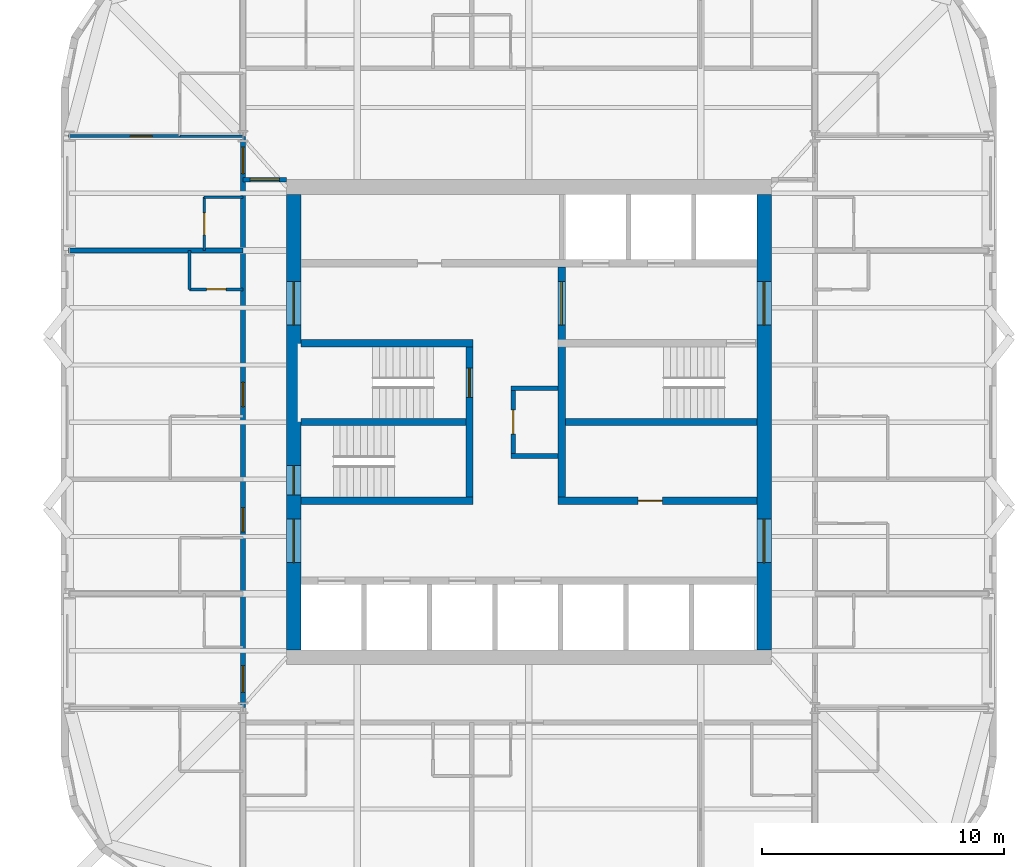
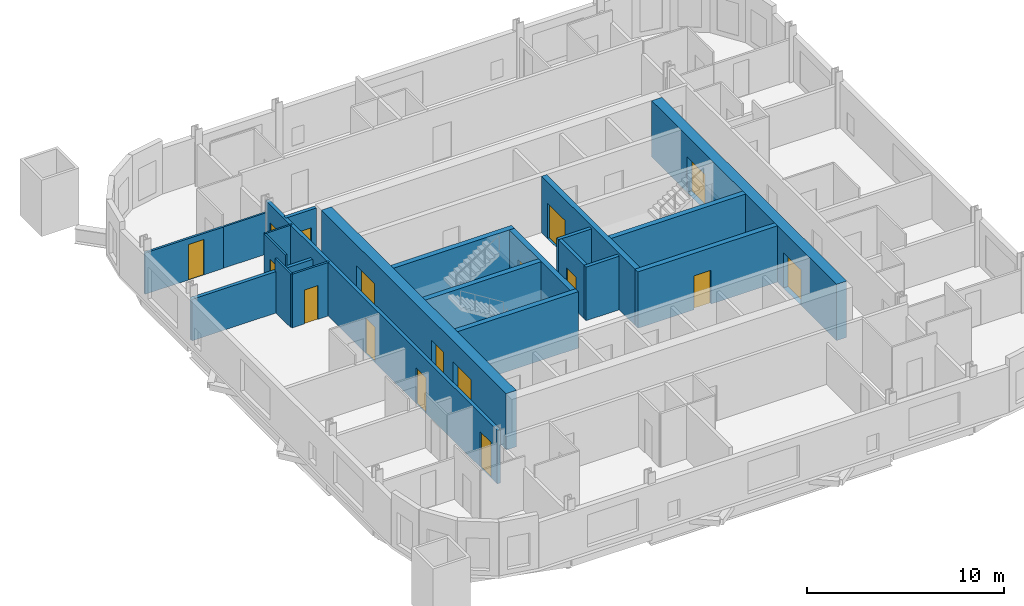
# One storey, part 4 of 8: 21 walls, 17 doors, 17 openings.
"""IFC4 building model written with IfcOpenShell, lengths in metres."""

from ifc_helpers import new_model, si_unit, direction, frame, frame_2d, origin, place, context, subcontext, project, spatial, rectangle, extrude, material, layer, layer_set, type_object, element, fill, save


model = new_model("IFC4")

# Units and contexts
model_context = context("Model", 3, precision=1e-05, world=origin(), true_north=direction((0.0, 1.0)))
body_context = subcontext(model_context, "Body", "Model", "MODEL_VIEW")
ifc_project = project(units=[si_unit("LENGTHUNIT", "METRE"), si_unit("AREAUNIT", "SQUARE_METRE"), si_unit("VOLUMEUNIT", "CUBIC_METRE"), si_unit("PLANEANGLEUNIT", "RADIAN"), si_unit("MASSUNIT", "GRAM", prefix="KILO")], contexts=[model_context])

# Site, building, storey
site_placement = place(None, origin())
site = spatial("IfcSite", under=ifc_project, at=site_placement, CompositionType="ELEMENT")
building_placement = place(site_placement, origin())
building = spatial("IfcBuilding", under=site, at=building_placement, Name="Turquesa Mirador Hotel Tower", CompositionType="ELEMENT")
storey_placement = place(building_placement, frame((0.0, 0.0, 196.800048828125)))
storey = spatial("IfcBuildingStorey", under=building, at=storey_placement, Name="L53", CompositionType="ELEMENT", Elevation=196.800048828125)

# Walls
ifc_material_1 = material(Name="Gypsum board on steel studs", Category="steel")
ifc_layer_1 = layer(ifc_material_1, 0.10009765625)
ifc_layer_set_1 = layer_set([ifc_layer_1], Name="BATHROOM WALL 100")
wall_type_1 = type_object("IfcWallType", Name="BATHROOM WALL 100", PredefinedType="PARTITIONING", material=ifc_layer_set_1)
wall_1_placement = place(storey_placement, frame((40.60009765625, 56.800048828125, 0.0), z_axis=(0.0, 0.0, 1.0), x_axis=(1.0, 0.0, 0.0)))
element("IfcWall", 1, at=wall_1_placement, inside=storey, type_object=wall_type_1, Name="Partition L53 024", PredefinedType="PARTITIONING", context=body_context, shape_type="SweptSolid", body=[
    extrude(rectangle(XDim=2.599853515625, YDim=0.10009765625, at=frame_2d((1.2998046875, 0.0))), origin(), (0.0, 0.0, 1.0), 2.572998046875),
])
wall_2_placement = place(storey_placement, frame((41.60009765625, 54.280029296875, 0.0), z_axis=(0.0, 0.0, 1.0), x_axis=(1.0, 0.0, 0.0)))
element("IfcWall", 2, at=wall_2_placement, inside=storey, type_object=wall_type_1, Name="Partition L53 039", PredefinedType="PARTITIONING", context=body_context, shape_type="SweptSolid", body=[
    extrude(rectangle(XDim=1.599853515625, YDim=0.10009765625, at=frame_2d((0.7998046875, 0.0))), origin(), (0.0, 0.0, 1.0), 3.329833984375),
])

# Wall, opening, door
wall_3_placement = place(storey_placement, frame((41.60009765625, 52.080078125, 0.0), z_axis=(0.0, 0.0, 1.0), x_axis=(0.0, 1.0, 0.0)))
wall_3 = element("IfcWall", 3, at=wall_3_placement, inside=storey, type_object=wall_type_1, Name="Partition L53 047", PredefinedType="PARTITIONING", context=body_context, shape_type="SweptSolid", body=[
    extrude(rectangle(XDim=2.199951171875, YDim=0.10009765625, at=frame_2d((1.10009765625, 0.0))), origin(), (0.0, 0.0, 1.0), 3.329833984375),
])
opening_1_placement = place(wall_3_placement, frame((0.64990234375, 0.0, 0.0)))
opening_1 = element("IfcOpeningElement", 4, at=opening_1_placement, cuts=wall_3, Name="Opening D06", PredefinedType="OPENING", context=body_context, shape_type="SweptSolid", body=[
    extrude(rectangle(XDim=0.89990234375, YDim=2.10009765625, at=frame_2d((0.449951171875, 1.050048828125))), frame((0.0, 0.06005859375, 0.0), z_axis=(0.0, -1.0, 0.0), x_axis=(1.0, 0.0, 0.0)), (0.0, 0.0, 1.0), 0.1201171875),
])
ifc_material_2 = material(Name="Laminate door", Category="wood")
door_type_1 = type_object("IfcDoorType", Name="DOOR 900X2100 WC", OperationType="SINGLE_SWING_LEFT", PredefinedType="DOOR", material=ifc_material_2)
door_1_placement = place(opening_1_placement, origin())
door_1 = element("IfcDoor", 5, at=door_1_placement, inside=storey, type_object=door_type_1, Name="Door 5310W", OperationType="SINGLE_SWING_LEFT", OverallHeight=2.10009765625, OverallWidth=0.89990234375, PredefinedType="DOOR", context=body_context, shape_type="SweptSolid", body=[
    extrude(rectangle(XDim=0.89990234375, YDim=2.10009765625, at=frame_2d((0.449951171875, 1.050048828125))), frame((0.0, 0.02490234375, 0.0), z_axis=(0.0, -1.0, 0.0), x_axis=(1.0, 0.0, 0.0)), (0.0, 0.0, 1.0), 0.050048828125),
])
fill(opening_1, door_1)

# Walls
ifc_material_3 = material(Name="Concrete C50/60", Category="concrete")
ifc_layer_2 = layer(ifc_material_3, 0.300048828125)
ifc_layer_set_2 = layer_set([ifc_layer_2], Name="CORE INNER WALL 300")
wall_type_2 = type_object("IfcWallType", Name="CORE INNER WALL 300", PredefinedType="SHEAR", material=ifc_layer_set_2)
for number, where, z_axis, x_axis, name in (
    (6, (45.60009765625, 48.25, 0.0), (0.0, 0.0, 1.0), (1.0, 0.0, 0.0), "Core wall MN-W"),
    (7, (45.60009765625, 41.75, 0.0), (0.0, 0.0, 1.0), (1.0, 0.0, 0.0), "Core wall MS-W"),
):
    element("IfcWall", number, at=place(storey_placement, frame(where, z_axis=z_axis, x_axis=x_axis)), inside=storey, type_object=wall_type_2, Name=name, PredefinedType="SHEAR", context=body_context, shape_type="SweptSolid", body=[
        extrude(rectangle(XDim=7.099853515625, YDim=0.300048828125, at=frame_2d((3.5498046875, 0.0))), origin(), (0.0, 0.0, 1.0), 3.5),
    ])

# Wall, opening, door
wall_4_placement = place(storey_placement, frame((56.199951171875, 41.75, 0.0), z_axis=(0.0, 0.0, 1.0), x_axis=(1.0, 0.0, 0.0)))
wall_4 = element("IfcWall", 8, at=wall_4_placement, inside=storey, type_object=wall_type_2, Name="Core wall MS-E", PredefinedType="SHEAR", context=body_context, shape_type="SweptSolid", body=[
    extrude(rectangle(XDim=8.199951171875, YDim=0.300048828125, at=frame_2d((4.10009765625, 0.0))), origin(), (0.0, 0.0, 1.0), 3.5),
])
opening_2_placement = place(wall_4_placement, frame((3.300048828125, 0.0, 0.0)))
opening_2 = element("IfcOpeningElement", 9, at=opening_2_placement, cuts=wall_4, Name="Opening D05", PredefinedType="OPENING", context=body_context, shape_type="SweptSolid", body=[
    extrude(rectangle(XDim=1.0, YDim=2.10009765625, at=frame_2d((0.5, 1.050048828125))), frame((0.0, 0.159912109375, 0.0), z_axis=(0.0, -1.0, 0.0), x_axis=(1.0, 0.0, 0.0)), (0.0, 0.0, 1.0), 0.320068359375),
])
ifc_material_4 = material(Name="Steel fire door", Category="steel")
door_type_2 = type_object("IfcDoorType", Name="DOOR 1000X2100 SERVICE", OperationType="SINGLE_SWING_LEFT", PredefinedType="DOOR", material=ifc_material_4)
door_2_placement = place(opening_2_placement, origin())
door_2 = element("IfcDoor", 10, at=door_2_placement, inside=storey, type_object=door_type_2, Name="Housekeeping room door", OperationType="SINGLE_SWING_LEFT", OverallHeight=2.10009765625, OverallWidth=1.0, PredefinedType="DOOR", context=body_context, shape_type="SweptSolid", body=[
    extrude(rectangle(XDim=1.0, YDim=2.10009765625, at=frame_2d((0.5, 1.050048828125))), frame((0.0, 0.02490234375, 0.0), z_axis=(0.0, -1.0, 0.0), x_axis=(1.0, 0.0, 0.0)), (0.0, 0.0, 1.0), 0.050048828125),
])
fill(opening_2, door_2)

wall_5_placement = place(storey_placement, frame((52.550048828125, 41.89990234375, 0.0), z_axis=(0.0, 0.0, 1.0), x_axis=(0.0, 1.0, 0.0)))
wall_5 = element("IfcWall", 11, at=wall_5_placement, inside=storey, type_object=wall_type_2, Name="Core wall PW", PredefinedType="SHEAR", context=body_context, shape_type="SweptSolid", body=[
    extrude(rectangle(XDim=6.2001953125, YDim=0.300048828125, at=frame_2d((3.10009765625, 0.0))), origin(), (0.0, 0.0, 1.0), 3.5),
])
opening_3_placement = place(wall_5_placement, frame((4.125, 0.0, 0.0)))
opening_3 = element("IfcOpeningElement", 12, at=opening_3_placement, cuts=wall_5, Name="Opening D03", PredefinedType="OPENING", context=body_context, shape_type="SweptSolid", body=[
    extrude(rectangle(XDim=1.199951171875, YDim=2.199951171875, at=frame_2d((0.60009765625, 1.10009765625))), frame((0.0, 0.159912109375, 0.0), z_axis=(0.0, -1.0, 0.0), x_axis=(1.0, 0.0, 0.0)), (0.0, 0.0, 1.0), 0.320068359375),
])
ifc_material_5 = material(Name="Steel fire door", Category="steel")
door_type_3 = type_object("IfcDoorType", Name="DOOR 1200X2200 STAIR", OperationType="SINGLE_SWING_LEFT", PredefinedType="DOOR", material=ifc_material_5)
door_3_placement = place(opening_3_placement, origin())
door_3 = element("IfcDoor", 13, at=door_3_placement, inside=storey, type_object=door_type_3, Name="Stair ST1 door", OperationType="SINGLE_SWING_LEFT", OverallHeight=2.199951171875, OverallWidth=1.199951171875, PredefinedType="DOOR", context=body_context, shape_type="SweptSolid", body=[
    extrude(rectangle(XDim=1.199951171875, YDim=2.199951171875, at=frame_2d((0.60009765625, 1.10009765625))), frame((0.0, 0.02490234375, 0.0), z_axis=(0.0, -1.0, 0.0), x_axis=(1.0, 0.0, 0.0)), (0.0, 0.0, 1.0), 0.050048828125),
])
fill(opening_3, door_3)

wall_6_placement = place(storey_placement, frame((56.35009765625, 41.89990234375, 0.0), z_axis=(0.0, 0.0, 1.0), x_axis=(0.0, 1.0, 0.0)))
wall_6 = element("IfcWall", 14, at=wall_6_placement, inside=storey, type_object=wall_type_2, Name="Core wall PE", PredefinedType="SHEAR", context=body_context, shape_type="SweptSolid", body=[
    extrude(rectangle(XDim=9.5, YDim=0.300048828125, at=frame_2d((4.75, 0.0))), origin(), (0.0, 0.0, 1.0), 3.5),
])
opening_4_placement = place(wall_6_placement, frame((7.10009765625, 0.0, 0.0)))
opening_4 = element("IfcOpeningElement", 15, at=opening_4_placement, cuts=wall_6, Name="Opening D04", PredefinedType="OPENING", context=body_context, shape_type="SweptSolid", body=[
    extrude(rectangle(XDim=1.800048828125, YDim=2.199951171875, at=frame_2d((0.89990234375, 1.10009765625))), frame((0.0, 0.159912109375, 0.0), z_axis=(0.0, -1.0, 0.0), x_axis=(1.0, 0.0, 0.0)), (0.0, 0.0, 1.0), 0.320068359375),
])
ifc_material_6 = material(Name="Steel fire door pair", Category="steel")
door_type_4 = type_object("IfcDoorType", Name="DOOR 1800X2200 PAIR", OperationType="DOUBLE_DOOR_SINGLE_SWING", PredefinedType="DOOR", material=ifc_material_6)
door_4_placement = place(opening_4_placement, origin())
door_4 = element("IfcDoor", 16, at=door_4_placement, inside=storey, type_object=door_type_4, Name="Firefighting lobby inner door", OperationType="DOUBLE_DOOR_SINGLE_SWING", OverallHeight=2.199951171875, OverallWidth=1.800048828125, PredefinedType="DOOR", context=body_context, shape_type="SweptSolid", body=[
    extrude(rectangle(XDim=1.800048828125, YDim=2.199951171875, at=frame_2d((0.89990234375, 1.10009765625))), frame((0.0, 0.02490234375, 0.0), z_axis=(0.0, -1.0, 0.0), x_axis=(1.0, 0.0, 0.0)), (0.0, 0.0, 1.0), 0.050048828125),
])
fill(opening_4, door_4)

# Walls
wall_7_placement = place(storey_placement, frame((45.60009765625, 45.0, 0.0), z_axis=(0.0, 0.0, 1.0), x_axis=(1.0, 0.0, 0.0)))
element("IfcWall", 17, at=wall_7_placement, inside=storey, type_object=wall_type_2, Name="Core wall M0-W", PredefinedType="SHEAR", context=body_context, shape_type="SweptSolid", body=[
    extrude(rectangle(XDim=6.7998046875, YDim=0.300048828125, at=frame_2d((3.39990234375, 0.0))), origin(), (0.0, 0.0, 1.0), 3.5),
])
wall_8_placement = place(storey_placement, frame((56.5, 45.0, 0.0), z_axis=(0.0, 0.0, 1.0), x_axis=(1.0, 0.0, 0.0)))
element("IfcWall", 18, at=wall_8_placement, inside=storey, type_object=wall_type_2, Name="Core wall M0-E", PredefinedType="SHEAR", context=body_context, shape_type="SweptSolid", body=[
    extrude(rectangle(XDim=7.89990234375, YDim=0.300048828125, at=frame_2d((3.949951171875, 0.0))), origin(), (0.0, 0.0, 1.0), 3.5),
])

# Wall, openings, doors
ifc_material_7 = material(Name="Concrete C50/60", Category="concrete")
ifc_layer_3 = layer(ifc_material_7, 0.60009765625)
ifc_layer_set_3 = layer_set([ifc_layer_3], Name="CORE WALL 600")
wall_type_3 = type_object("IfcWallType", Name="CORE WALL 600", PredefinedType="SHEAR", material=ifc_layer_set_3)
wall_9_placement = place(storey_placement, frame((64.699951171875, 35.60009765625, 0.0), z_axis=(0.0, 0.0, 1.0), x_axis=(0.0, 1.0, 0.0)))
wall_9 = element("IfcWall", 19, at=wall_9_placement, inside=storey, type_object=wall_type_3, Name="Core wall E", PredefinedType="SHEAR", context=body_context, shape_type="SweptSolid", body=[
    extrude(rectangle(XDim=18.7998046875, YDim=0.60009765625, at=frame_2d((9.39990234375, 0.0))), origin(), (0.0, 0.0, 1.0), 3.5),
])
opening_5_placement = place(wall_9_placement, frame((13.39990234375, 0.0, 0.0)))
opening_5 = element("IfcOpeningElement", 20, at=opening_5_placement, cuts=wall_9, Name="Opening D04", PredefinedType="OPENING", context=body_context, shape_type="SweptSolid", body=[
    extrude(rectangle(XDim=1.800048828125, YDim=2.199951171875, at=frame_2d((0.89990234375, 1.10009765625))), frame((0.0, 0.31005859375, 0.0), z_axis=(0.0, -1.0, 0.0), x_axis=(1.0, 0.0, 0.0)), (0.0, 0.0, 1.0), 0.6201171875),
])
opening_6_placement = place(wall_9_placement, frame((3.60009765625, 0.0, 0.0)))
opening_6 = element("IfcOpeningElement", 21, at=opening_6_placement, cuts=wall_9, Name="Opening D04", PredefinedType="OPENING", context=body_context, shape_type="SweptSolid", body=[
    extrude(rectangle(XDim=1.800048828125, YDim=2.199951171875, at=frame_2d((0.89990234375, 1.10009765625))), frame((0.0, 0.31005859375, 0.0), z_axis=(0.0, -1.0, 0.0), x_axis=(1.0, 0.0, 0.0)), (0.0, 0.0, 1.0), 0.6201171875),
])
door_5_placement = place(opening_5_placement, origin())
door_5 = element("IfcDoor", 22, at=door_5_placement, inside=storey, type_object=door_type_4, Name="Firefighting lobby door", OperationType="DOUBLE_DOOR_SINGLE_SWING", OverallHeight=2.199951171875, OverallWidth=1.800048828125, PredefinedType="DOOR", context=body_context, shape_type="SweptSolid", body=[
    extrude(rectangle(XDim=1.800048828125, YDim=2.199951171875, at=frame_2d((0.89990234375, 1.10009765625))), frame((0.0, 0.02490234375, 0.0), z_axis=(0.0, -1.0, 0.0), x_axis=(1.0, 0.0, 0.0)), (0.0, 0.0, 1.0), 0.050048828125),
])
fill(opening_5, door_5)
door_6_placement = place(opening_6_placement, origin())
door_6 = element("IfcDoor", 23, at=door_6_placement, inside=storey, type_object=door_type_4, Name="South lift lobby door", OperationType="DOUBLE_DOOR_SINGLE_SWING", OverallHeight=2.199951171875, OverallWidth=1.800048828125, PredefinedType="DOOR", context=body_context, shape_type="SweptSolid", body=[
    extrude(rectangle(XDim=1.800048828125, YDim=2.199951171875, at=frame_2d((0.89990234375, 1.10009765625))), frame((0.0, 0.02490234375, 0.0), z_axis=(0.0, -1.0, 0.0), x_axis=(1.0, 0.0, 0.0)), (0.0, 0.0, 1.0), 0.050048828125),
])
fill(opening_6, door_6)

wall_10_placement = place(storey_placement, frame((45.300048828125, 35.60009765625, 0.0), z_axis=(0.0, 0.0, 1.0), x_axis=(0.0, 1.0, 0.0)))
wall_10 = element("IfcWall", 24, at=wall_10_placement, inside=storey, type_object=wall_type_3, Name="Core wall W", PredefinedType="SHEAR", context=body_context, shape_type="SweptSolid", body=[
    extrude(rectangle(XDim=18.7998046875, YDim=0.60009765625, at=frame_2d((9.39990234375, 0.0))), origin(), (0.0, 0.0, 1.0), 3.5),
])
opening_7_placement = place(wall_10_placement, frame((13.39990234375, 0.0, 0.0)))
opening_7 = element("IfcOpeningElement", 25, at=opening_7_placement, cuts=wall_10, Name="Opening D04", PredefinedType="OPENING", context=body_context, shape_type="SweptSolid", body=[
    extrude(rectangle(XDim=1.800048828125, YDim=2.199951171875, at=frame_2d((0.89990234375, 1.10009765625))), frame((0.0, 0.31005859375, 0.0), z_axis=(0.0, -1.0, 0.0), x_axis=(1.0, 0.0, 0.0)), (0.0, 0.0, 1.0), 0.6201171875),
])
opening_8_placement = place(wall_10_placement, frame((3.60009765625, 0.0, 0.0)))
opening_8 = element("IfcOpeningElement", 26, at=opening_8_placement, cuts=wall_10, Name="Opening D04", PredefinedType="OPENING", context=body_context, shape_type="SweptSolid", body=[
    extrude(rectangle(XDim=1.800048828125, YDim=2.199951171875, at=frame_2d((0.89990234375, 1.10009765625))), frame((0.0, 0.31005859375, 0.0), z_axis=(0.0, -1.0, 0.0), x_axis=(1.0, 0.0, 0.0)), (0.0, 0.0, 1.0), 0.6201171875),
])
opening_9_placement = place(wall_10_placement, frame((6.39990234375, 0.0, 0.0)))
opening_9 = element("IfcOpeningElement", 27, at=opening_9_placement, cuts=wall_10, Name="Opening D03", PredefinedType="OPENING", context=body_context, shape_type="SweptSolid", body=[
    extrude(rectangle(XDim=1.199951171875, YDim=2.199951171875, at=frame_2d((0.60009765625, 1.10009765625))), frame((0.0, 0.31005859375, 0.0), z_axis=(0.0, -1.0, 0.0), x_axis=(1.0, 0.0, 0.0)), (0.0, 0.0, 1.0), 0.6201171875),
])
door_7_placement = place(opening_9_placement, origin())
door_7 = element("IfcDoor", 28, at=door_7_placement, inside=storey, type_object=door_type_3, Name="Stair ST2 door", OperationType="SINGLE_SWING_LEFT", OverallHeight=2.199951171875, OverallWidth=1.199951171875, PredefinedType="DOOR", context=body_context, shape_type="SweptSolid", body=[
    extrude(rectangle(XDim=1.199951171875, YDim=2.199951171875, at=frame_2d((0.60009765625, 1.10009765625))), frame((0.0, 0.02490234375, 0.0), z_axis=(0.0, -1.0, 0.0), x_axis=(1.0, 0.0, 0.0)), (0.0, 0.0, 1.0), 0.050048828125),
])
fill(opening_9, door_7)
door_8_placement = place(opening_7_placement, origin())
door_8 = element("IfcDoor", 29, at=door_8_placement, inside=storey, type_object=door_type_4, Name="North lift lobby door", OperationType="DOUBLE_DOOR_SINGLE_SWING", OverallHeight=2.199951171875, OverallWidth=1.800048828125, PredefinedType="DOOR", context=body_context, shape_type="SweptSolid", body=[
    extrude(rectangle(XDim=1.800048828125, YDim=2.199951171875, at=frame_2d((0.89990234375, 1.10009765625))), frame((0.0, 0.02490234375, 0.0), z_axis=(0.0, -1.0, 0.0), x_axis=(1.0, 0.0, 0.0)), (0.0, 0.0, 1.0), 0.050048828125),
])
fill(opening_7, door_8)
door_9_placement = place(opening_8_placement, origin())
door_9 = element("IfcDoor", 30, at=door_9_placement, inside=storey, type_object=door_type_4, Name="South lift lobby door", OperationType="DOUBLE_DOOR_SINGLE_SWING", OverallHeight=2.199951171875, OverallWidth=1.800048828125, PredefinedType="DOOR", context=body_context, shape_type="SweptSolid", body=[
    extrude(rectangle(XDim=1.800048828125, YDim=2.199951171875, at=frame_2d((0.89990234375, 1.10009765625))), frame((0.0, 0.02490234375, 0.0), z_axis=(0.0, -1.0, 0.0), x_axis=(1.0, 0.0, 0.0)), (0.0, 0.0, 1.0), 0.050048828125),
])
fill(opening_8, door_9)

# Wall, opening, door
ifc_material_8 = material(Name="Fire-rated gypsum board on steel studs", Category="steel")
ifc_layer_4 = layer(ifc_material_8, 0.199951171875)
ifc_layer_set_4 = layer_set([ifc_layer_4], Name="CORRIDOR WALL 200")
wall_type_4 = type_object("IfcWallType", Name="CORRIDOR WALL 200", PredefinedType="PARTITIONING", material=ifc_layer_set_4)
wall_11_placement = place(storey_placement, frame((43.199951171875, 55.0, 0.0), z_axis=(0.0, 0.0, 1.0), x_axis=(1.0, 0.0, 0.0)))
wall_11 = element("IfcWall", 31, at=wall_11_placement, inside=storey, type_object=wall_type_4, Name="Partition L53 022", PredefinedType="PARTITIONING", context=body_context, shape_type="SweptSolid", body=[
    extrude(rectangle(XDim=1.800048828125, YDim=0.199951171875, at=frame_2d((0.89990234375, 0.0))), origin(), (0.0, 0.0, 1.0), 3.329833984375),
])
opening_10_placement = place(wall_11_placement, frame((0.300048828125, 0.0, 0.0)))
opening_10 = element("IfcOpeningElement", 32, at=opening_10_placement, cuts=wall_11, Name="Opening D19", PredefinedType="OPENING", context=body_context, shape_type="SweptSolid", body=[
    extrude(rectangle(XDim=1.199951171875, YDim=2.199951171875, at=frame_2d((0.60009765625, 1.10009765625))), frame((0.0, 0.10986328125, 0.0), z_axis=(0.0, -1.0, 0.0), x_axis=(1.0, 0.0, 0.0)), (0.0, 0.0, 1.0), 0.219970703125),
])
ifc_material_9 = material(Name="Steel glazed fire door", Category="steel")
door_type_5 = type_object("IfcDoorType", Name="DOOR 1200X2200 FIRE DOOR GLAZED", OperationType="SINGLE_SWING_LEFT", PredefinedType="DOOR", material=ifc_material_9)
door_10_placement = place(opening_10_placement, origin())
door_10 = element("IfcDoor", 33, at=door_10_placement, inside=storey, type_object=door_type_5, Name="Door L53-C03", OperationType="SINGLE_SWING_LEFT", OverallHeight=2.199951171875, OverallWidth=1.199951171875, PredefinedType="DOOR", context=body_context, shape_type="SweptSolid", body=[
    extrude(rectangle(XDim=1.199951171875, YDim=2.199951171875, at=frame_2d((0.60009765625, 1.10009765625))), frame((0.0, 0.02490234375, 0.0), z_axis=(0.0, -1.0, 0.0), x_axis=(1.0, 0.0, 0.0)), (0.0, 0.0, 1.0), 0.050048828125),
])
fill(opening_10, door_10)

# Wall, openings, doors
wall_12_placement = place(storey_placement, frame((43.199951171875, 33.219970703125, 0.0), z_axis=(0.0, 0.0, 1.0), x_axis=(0.0, 1.0, 0.0)))
wall_12 = element("IfcWall", 34, at=wall_12_placement, inside=storey, type_object=wall_type_4, Name="Partition L53 043", PredefinedType="PARTITIONING", context=body_context, shape_type="SweptSolid", body=[
    extrude(rectangle(XDim=23.56005859375, YDim=0.199951171875, at=frame_2d((11.780029296875, 0.0))), origin(), (0.0, 0.0, 1.0), 3.329833984375),
])
opening_11_placement = place(wall_12_placement, frame((7.25, 0.0, 0.0)))
opening_11 = element("IfcOpeningElement", 35, at=opening_11_placement, cuts=wall_12, Name="Opening D01", PredefinedType="OPENING", context=body_context, shape_type="SweptSolid", body=[
    extrude(rectangle(XDim=1.0, YDim=2.199951171875, at=frame_2d((0.5, 1.10009765625))), frame((0.0, 0.10986328125, 0.0), z_axis=(0.0, -1.0, 0.0), x_axis=(1.0, 0.0, 0.0)), (0.0, 0.0, 1.0), 0.219970703125),
])
opening_12_placement = place(wall_12_placement, frame((12.419921875, 0.0, 0.0)))
opening_12 = element("IfcOpeningElement", 36, at=opening_12_placement, cuts=wall_12, Name="Opening D01", PredefinedType="OPENING", context=body_context, shape_type="SweptSolid", body=[
    extrude(rectangle(XDim=1.0, YDim=2.199951171875, at=frame_2d((0.5, 1.10009765625))), frame((0.0, 0.10986328125, 0.0), z_axis=(0.0, -1.0, 0.0), x_axis=(1.0, 0.0, 0.0)), (0.0, 0.0, 1.0), 0.219970703125),
])
opening_13_placement = place(wall_12_placement, frame((22.030029296875, 0.0, 0.0)))
opening_13 = element("IfcOpeningElement", 37, at=opening_13_placement, cuts=wall_12, Name="Opening D15", PredefinedType="OPENING", context=body_context, shape_type="SweptSolid", body=[
    extrude(rectangle(XDim=1.10009765625, YDim=2.199951171875, at=frame_2d((0.550048828125, 1.10009765625))), frame((0.0, 0.10986328125, 0.0), z_axis=(0.0, -1.0, 0.0), x_axis=(1.0, 0.0, 0.0)), (0.0, 0.0, 1.0), 0.219970703125),
])
opening_14_placement = place(wall_12_placement, frame((0.6298828125, 0.0, 0.0)))
opening_14 = element("IfcOpeningElement", 38, at=opening_14_placement, cuts=wall_12, Name="Opening D15", PredefinedType="OPENING", context=body_context, shape_type="SweptSolid", body=[
    extrude(rectangle(XDim=1.10009765625, YDim=2.199951171875, at=frame_2d((0.550048828125, 1.10009765625))), frame((0.0, 0.10986328125, 0.0), z_axis=(0.0, -1.0, 0.0), x_axis=(1.0, 0.0, 0.0)), (0.0, 0.0, 1.0), 0.219970703125),
])
ifc_material_10 = material(Name="Timber veneered fire door", Category="wood")
door_type_6 = type_object("IfcDoorType", Name="DOOR 1000X2200 GUEST ENTRY", OperationType="SINGLE_SWING_LEFT", PredefinedType="DOOR", material=ifc_material_10)
door_11_placement = place(opening_11_placement, origin())
door_11 = element("IfcDoor", 39, at=door_11_placement, inside=storey, type_object=door_type_6, Name="Door 5307", OperationType="SINGLE_SWING_LEFT", OverallHeight=2.199951171875, OverallWidth=1.0, PredefinedType="DOOR", context=body_context, shape_type="SweptSolid", body=[
    extrude(rectangle(XDim=1.0, YDim=2.199951171875, at=frame_2d((0.5, 1.10009765625))), frame((0.0, 0.02490234375, 0.0), z_axis=(0.0, -1.0, 0.0), x_axis=(1.0, 0.0, 0.0)), (0.0, 0.0, 1.0), 0.050048828125),
])
fill(opening_11, door_11)
door_12_placement = place(opening_12_placement, origin())
door_12 = element("IfcDoor", 40, at=door_12_placement, inside=storey, type_object=door_type_6, Name="Door 5308", OperationType="SINGLE_SWING_LEFT", OverallHeight=2.199951171875, OverallWidth=1.0, PredefinedType="DOOR", context=body_context, shape_type="SweptSolid", body=[
    extrude(rectangle(XDim=1.0, YDim=2.199951171875, at=frame_2d((0.5, 1.10009765625))), frame((0.0, 0.02490234375, 0.0), z_axis=(0.0, -1.0, 0.0), x_axis=(1.0, 0.0, 0.0)), (0.0, 0.0, 1.0), 0.050048828125),
])
fill(opening_12, door_12)
ifc_material_11 = material(Name="Timber veneered fire door", Category="wood")
door_type_7 = type_object("IfcDoorType", Name="DOOR 1100X2200 SUITE ENTRY", OperationType="SINGLE_SWING_LEFT", PredefinedType="DOOR", material=ifc_material_11)
door_13_placement = place(opening_13_placement, origin())
door_13 = element("IfcDoor", 41, at=door_13_placement, inside=storey, type_object=door_type_7, Name="Door 5310", OperationType="SINGLE_SWING_LEFT", OverallHeight=2.199951171875, OverallWidth=1.10009765625, PredefinedType="DOOR", context=body_context, shape_type="SweptSolid", body=[
    extrude(rectangle(XDim=1.10009765625, YDim=2.199951171875, at=frame_2d((0.550048828125, 1.10009765625))), frame((0.0, 0.02490234375, 0.0), z_axis=(0.0, -1.0, 0.0), x_axis=(1.0, 0.0, 0.0)), (0.0, 0.0, 1.0), 0.050048828125),
])
fill(opening_13, door_13)
door_14_placement = place(opening_14_placement, origin())
door_14 = element("IfcDoor", 42, at=door_14_placement, inside=storey, type_object=door_type_7, Name="Door 5311", OperationType="SINGLE_SWING_LEFT", OverallHeight=2.199951171875, OverallWidth=1.10009765625, PredefinedType="DOOR", context=body_context, shape_type="SweptSolid", body=[
    extrude(rectangle(XDim=1.10009765625, YDim=2.199951171875, at=frame_2d((0.550048828125, 1.10009765625))), frame((0.0, 0.02490234375, 0.0), z_axis=(0.0, -1.0, 0.0), x_axis=(1.0, 0.0, 0.0)), (0.0, 0.0, 1.0), 0.050048828125),
])
fill(opening_14, door_14)

# Wall, opening, door
ifc_material_12 = material(Name="Fire-rated gypsum board on steel studs", Category="steel")
ifc_layer_5 = layer(ifc_material_12, 0.199951171875)
ifc_layer_set_5 = layer_set([ifc_layer_5], Name="FIRE PARTITION 200")
wall_type_5 = type_object("IfcWallType", Name="FIRE PARTITION 200", PredefinedType="PARTITIONING", material=ifc_layer_set_5)
wall_13_placement = place(storey_placement, frame((54.35009765625, 43.60009765625, 0.0), z_axis=(0.0, 0.0, 1.0), x_axis=(0.0, 1.0, 0.0)))
wall_13 = element("IfcWall", 43, at=wall_13_placement, inside=storey, type_object=wall_type_5, Name="Partition L53 VD W", PredefinedType="PARTITIONING", context=body_context, shape_type="SweptSolid", body=[
    extrude(rectangle(XDim=2.7998046875, YDim=0.199951171875, at=frame_2d((1.39990234375, 0.0))), origin(), (0.0, 0.0, 1.0), 3.329833984375),
])
opening_15_placement = place(wall_13_placement, frame((0.89990234375, 0.0, 0.0)))
opening_15 = element("IfcOpeningElement", 44, at=opening_15_placement, cuts=wall_13, Name="Opening D05", PredefinedType="OPENING", context=body_context, shape_type="SweptSolid", body=[
    extrude(rectangle(XDim=1.0, YDim=2.10009765625, at=frame_2d((0.5, 1.050048828125))), frame((0.0, 0.10986328125, 0.0), z_axis=(0.0, -1.0, 0.0), x_axis=(1.0, 0.0, 0.0)), (0.0, 0.0, 1.0), 0.219970703125),
])
door_15_placement = place(opening_15_placement, origin())
door_15 = element("IfcDoor", 45, at=door_15_placement, inside=storey, type_object=door_type_2, Name="Ice and vending room door", OperationType="SINGLE_SWING_LEFT", OverallHeight=2.10009765625, OverallWidth=1.0, PredefinedType="DOOR", context=body_context, shape_type="SweptSolid", body=[
    extrude(rectangle(XDim=1.0, YDim=2.10009765625, at=frame_2d((0.5, 1.050048828125))), frame((0.0, 0.02490234375, 0.0), z_axis=(0.0, -1.0, 0.0), x_axis=(1.0, 0.0, 0.0)), (0.0, 0.0, 1.0), 0.050048828125),
])
fill(opening_15, door_15)

# Walls
for number, where, z_axis, x_axis, name in (
    (46, (54.25, 43.60009765625, 0.0), (0.0, 0.0, 1.0), (1.0, 0.0, 0.0), "Partition L53 VD S"),
    (47, (54.25, 46.39990234375, 0.0), (0.0, 0.0, 1.0), (1.0, 0.0, 0.0), "Partition L53 VD N"),
):
    element("IfcWall", number, at=place(storey_placement, frame(where, z_axis=z_axis, x_axis=x_axis)), inside=storey, type_object=wall_type_5, Name=name, PredefinedType="PARTITIONING", context=body_context, shape_type="SweptSolid", body=[
        extrude(rectangle(XDim=1.949951171875, YDim=0.199951171875, at=frame_2d((0.97509765625, 0.0))), origin(), (0.0, 0.0, 1.0), 3.329833984375),
    ])
ifc_material_13 = material(Name="Fire-rated gypsum board on steel studs", Category="steel")
ifc_layer_6 = layer(ifc_material_13, 0.199951171875)
ifc_layer_set_6 = layer_set([ifc_layer_6], Name="PARTY WALL 200")
wall_type_6 = type_object("IfcWallType", Name="PARTY WALL 200", PredefinedType="PARTITIONING", material=ifc_layer_set_6)
wall_14_placement = place(storey_placement, frame((36.0, 52.080078125, 0.0), z_axis=(0.0, 0.0, 1.0), x_axis=(1.0, 0.0, 0.0)))
element("IfcWall", 48, at=wall_14_placement, inside=storey, type_object=wall_type_6, Name="Partition L53 037", PredefinedType="PARTITIONING", context=body_context, shape_type="SweptSolid", body=[
    extrude(rectangle(XDim=7.199951171875, YDim=0.199951171875, at=frame_2d((3.60009765625, 0.0))), origin(), (0.0, 0.0, 1.0), 2.572998046875),
])

# Wall, opening, door
ifc_material_14 = material(Name="Acoustic gypsum board on steel studs", Category="steel")
ifc_layer_7 = layer(ifc_material_14, 0.125)
ifc_layer_set_7 = layer_set([ifc_layer_7], Name="SUITE PARTITION 125")
wall_type_7 = type_object("IfcWallType", Name="SUITE PARTITION 125", PredefinedType="PARTITIONING", material=ifc_layer_set_7)
wall_15_placement = place(storey_placement, frame((36.0, 56.800048828125, 0.0), z_axis=(0.0, 0.0, 1.0), x_axis=(1.0, 0.0, 0.0)))
wall_15 = element("IfcWall", 49, at=wall_15_placement, inside=storey, type_object=wall_type_7, Name="Partition L53 026", PredefinedType="PARTITIONING", context=body_context, shape_type="SweptSolid", body=[
    extrude(rectangle(XDim=4.60009765625, YDim=0.125, at=frame_2d((2.300048828125, 0.0))), origin(), (0.0, 0.0, 1.0), 2.572998046875),
])
opening_16_placement = place(wall_15_placement, frame((2.550048828125, 0.0, 0.0)))
opening_16 = element("IfcOpeningElement", 50, at=opening_16_placement, cuts=wall_15, Name="Opening D17", PredefinedType="OPENING", context=body_context, shape_type="SweptSolid", body=[
    extrude(rectangle(XDim=0.89990234375, YDim=2.199951171875, at=frame_2d((0.449951171875, 1.10009765625))), frame((0.0, 0.072509765625, 0.0), z_axis=(0.0, -1.0, 0.0), x_axis=(1.0, 0.0, 0.0)), (0.0, 0.0, 1.0), 0.14501953125),
])
ifc_material_15 = material(Name="Timber veneered door", Category="wood")
door_type_8 = type_object("IfcDoorType", Name="DOOR 900X2200 SUITE INTERNAL", OperationType="SINGLE_SWING_LEFT", PredefinedType="DOOR", material=ifc_material_15)
door_16_placement = place(opening_16_placement, origin())
door_16 = element("IfcDoor", 51, at=door_16_placement, inside=storey, type_object=door_type_8, Name="Door 5310R", OperationType="SINGLE_SWING_LEFT", OverallHeight=2.199951171875, OverallWidth=0.89990234375, PredefinedType="DOOR", context=body_context, shape_type="SweptSolid", body=[
    extrude(rectangle(XDim=0.89990234375, YDim=2.199951171875, at=frame_2d((0.449951171875, 1.10009765625))), frame((0.0, 0.02490234375, 0.0), z_axis=(0.0, -1.0, 0.0), x_axis=(1.0, 0.0, 0.0)), (0.0, 0.0, 1.0), 0.050048828125),
])
fill(opening_16, door_16)

wall_16_placement = place(storey_placement, frame((41.0, 50.47998046875, 0.0), z_axis=(0.0, 0.0, 1.0), x_axis=(1.0, 0.0, 0.0)))
wall_16 = element("IfcWall", 52, at=wall_16_placement, inside=storey, type_object=wall_type_7, Name="Partition L53 035", PredefinedType="PARTITIONING", context=body_context, shape_type="SweptSolid", body=[
    extrude(rectangle(XDim=2.199951171875, YDim=0.125, at=frame_2d((1.10009765625, 0.0))), origin(), (0.0, 0.0, 1.0), 3.329833984375),
])
opening_17_placement = place(wall_16_placement, frame((0.699951171875, 0.0, 0.0)))
opening_17 = element("IfcOpeningElement", 53, at=opening_17_placement, cuts=wall_16, Name="Opening D20", PredefinedType="OPENING", context=body_context, shape_type="SweptSolid", body=[
    extrude(rectangle(XDim=0.800048828125, YDim=2.10009765625, at=frame_2d((0.39990234375, 1.050048828125))), frame((0.0, 0.072509765625, 0.0), z_axis=(0.0, -1.0, 0.0), x_axis=(1.0, 0.0, 0.0)), (0.0, 0.0, 1.0), 0.14501953125),
])
ifc_material_16 = material(Name="Timber veneered sliding door", Category="wood")
door_type_9 = type_object("IfcDoorType", Name="DOOR 800X2100 WARDROBE", OperationType="SLIDING_TO_LEFT", PredefinedType="DOOR", material=ifc_material_16)
door_17_placement = place(opening_17_placement, origin())
door_17 = element("IfcDoor", 54, at=door_17_placement, inside=storey, type_object=door_type_9, Name="Door 5308W", OperationType="SLIDING_TO_LEFT", OverallHeight=2.10009765625, OverallWidth=0.800048828125, PredefinedType="DOOR", context=body_context, shape_type="SweptSolid", body=[
    extrude(rectangle(XDim=0.800048828125, YDim=2.10009765625, at=frame_2d((0.39990234375, 1.050048828125))), frame((0.0, 0.02490234375, 0.0), z_axis=(0.0, -1.0, 0.0), x_axis=(1.0, 0.0, 0.0)), (0.0, 0.0, 1.0), 0.050048828125),
])
fill(opening_17, door_17)

# Wall
wall_17_placement = place(storey_placement, frame((41.0, 50.47998046875, 0.0), z_axis=(0.0, 0.0, 1.0), x_axis=(0.0, 1.0, 0.0)))
element("IfcWall", 55, at=wall_17_placement, inside=storey, type_object=wall_type_7, Name="Partition L53 048", PredefinedType="PARTITIONING", context=body_context, shape_type="SweptSolid", body=[
    extrude(rectangle(XDim=1.60009765625, YDim=0.125, at=frame_2d((0.800048828125, 0.0))), origin(), (0.0, 0.0, 1.0), 3.329833984375),
])

save(model, "model.ifc")
